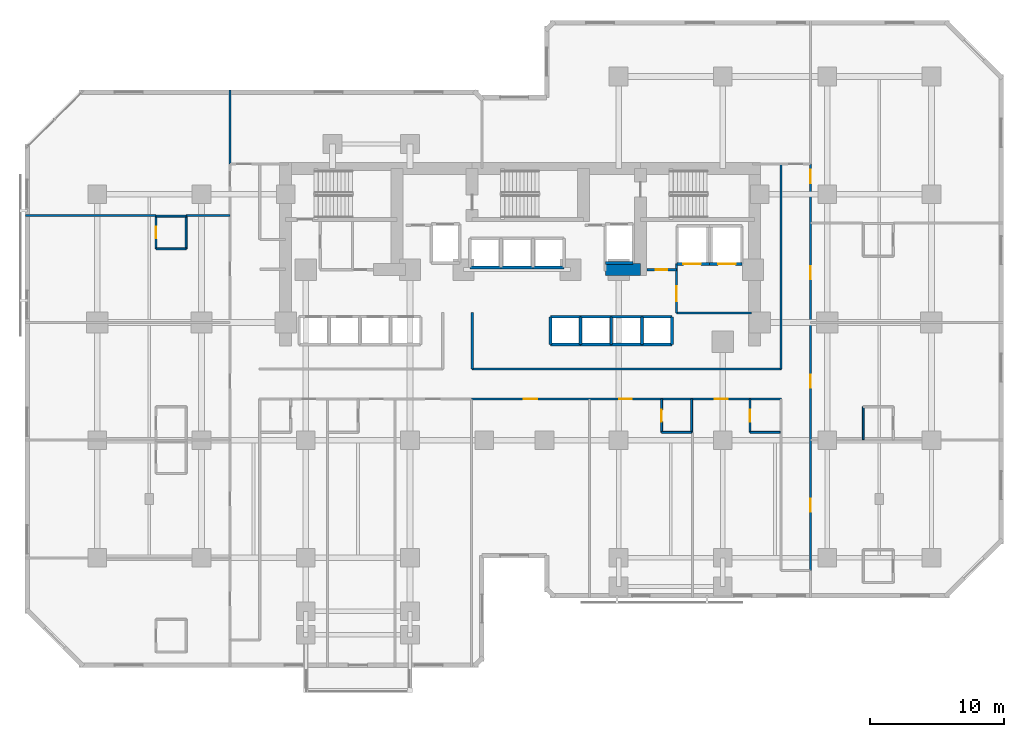
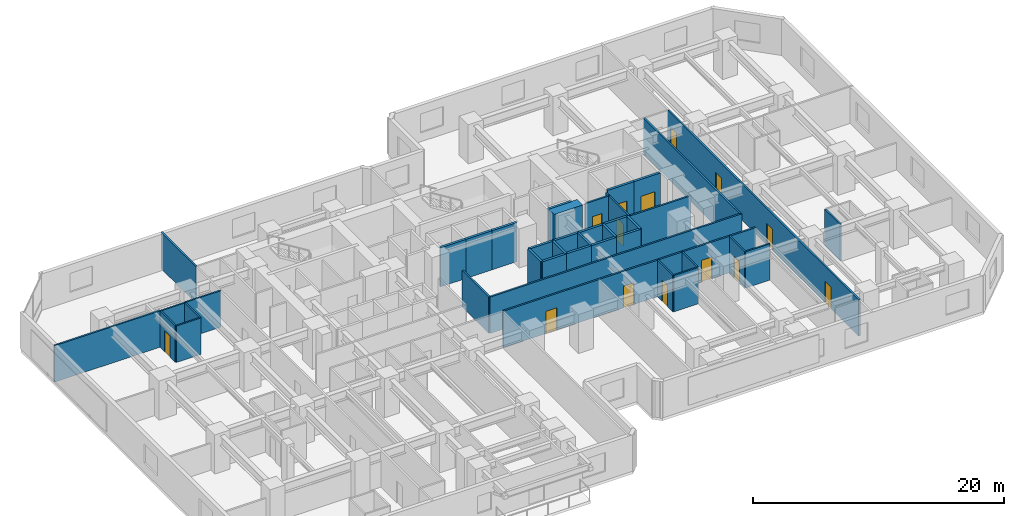
# One storey, part 7 of 12: 41 walls, 14 doors, 14 openings.
"""IFC4 building model written with IfcOpenShell, lengths in metres."""

from ifc_helpers import new_model, si_unit, direction, frame, frame_2d, origin, place, context, subcontext, project, spatial, rectangle, extrude, material, layer, layer_set, type_object, element, fill, save


model = new_model("IFC4")

# Units and contexts
model_context = context("Model", 3, precision=1e-05, world=origin(), true_north=direction((0.0, 1.0)))
body_context = subcontext(model_context, "Body", "Model", "MODEL_VIEW")
ifc_project = project(units=[si_unit("LENGTHUNIT", "METRE"), si_unit("AREAUNIT", "SQUARE_METRE"), si_unit("VOLUMEUNIT", "CUBIC_METRE"), si_unit("PLANEANGLEUNIT", "RADIAN"), si_unit("MASSUNIT", "GRAM", prefix="KILO")], contexts=[model_context])

# Site, building, storey
site_placement = place(None, origin())
site = spatial("IfcSite", under=ifc_project, at=site_placement, CompositionType="ELEMENT")
building_placement = place(site_placement, origin())
building = spatial("IfcBuilding", under=site, at=building_placement, Name="Kestravale Grand Hotel", CompositionType="ELEMENT")
storey_placement = place(building_placement, frame((0.0, 0.0, 48.800048828125)))
storey = spatial("IfcBuildingStorey", under=building, at=storey_placement, Name="L11", CompositionType="ELEMENT", Elevation=48.800048828125)

# Wall
ifc_material_1 = material(Name="Concrete f'c 70 MPa", Category="concrete")
ifc_layer_1 = layer(ifc_material_1, 0.89990234375)
ifc_layer_set_1 = layer_set([ifc_layer_1], Name="EW-CORE-900")
wall_type_1 = type_object("IfcWallType", Name="EW-CORE-900", PredefinedType="SHEAR", material=ifc_layer_set_1)
wall_1_placement = place(storey_placement, frame((45.81005859375, 32.75, 0.0), z_axis=(0.0, 0.0, 1.0), x_axis=(1.0, 0.0, 0.0)))
element("IfcWall", 1, at=wall_1_placement, inside=storey, type_object=wall_type_1, Name="L11 core shear wall S2", PredefinedType="SHEAR", context=body_context, shape_type="SweptSolid", body=[
    extrude(rectangle(XDim=2.639892578125, YDim=0.89990234375, at=frame_2d((1.31982421875, 0.0))), origin(), (0.0, 0.0, 1.0), 3.800048828125),
])

# Wall, opening, door
ifc_material_2 = material(Name="Acoustic fire-rated gypsum board partition", Category="other")
ifc_layer_2 = layer(ifc_material_2, 0.159912109375)
ifc_layer_set_2 = layer_set([ifc_layer_2], Name="IW-CORR-160")
wall_type_2 = type_object("IfcWallType", Name="IW-CORR-160", PredefinedType="PARTITIONING", material=ifc_layer_set_2)
wall_2_placement = place(storey_placement, frame((51.1201171875, 29.5, 0.0), z_axis=(0.0, 0.0, 1.0), x_axis=(0.0, 1.0, 0.0)))
wall_2 = element("IfcWall", 2, at=wall_2_placement, inside=storey, type_object=wall_type_2, Name="W-L11-SVCLOB-W", PredefinedType="PARTITIONING", context=body_context, shape_type="SweptSolid", body=[
    extrude(rectangle(XDim=3.699951171875, YDim=0.159912109375, at=frame_2d((1.85009765625, 0.0))), origin(), (0.0, 0.0, 1.0), 3.5400390625),
])
opening_1_placement = place(wall_2_placement, frame((0.89990234375, 0.0, 0.0)))
opening_1 = element("IfcOpeningElement", 3, at=opening_1_placement, cuts=wall_2, Name="Opening D-CORR-1100", PredefinedType="OPENING", context=body_context, shape_type="SweptSolid", body=[
    extrude(rectangle(XDim=1.10009765625, YDim=2.14990234375, at=frame_2d((0.550048828125, 1.074951171875))), frame((0.0, 0.08984375, 0.0), z_axis=(0.0, -1.0, 0.0), x_axis=(1.0, 0.0, 0.0)), (0.0, 0.0, 1.0), 0.179931640625),
])
ifc_material_3 = material(Name="Single-leaf service vestibule fire door", Category="steel")
door_type_1 = type_object("IfcDoorType", Name="D-CORR-1100", OperationType="NOTDEFINED", PredefinedType="DOOR", material=ifc_material_3)
door_1_placement = place(opening_1_placement, origin())
door_1 = element("IfcDoor", 4, at=door_1_placement, inside=storey, type_object=door_type_1, Name="L11 service lift lobby door", OperationType="SINGLE_SWING_LEFT", OverallHeight=2.14990234375, OverallWidth=1.10009765625, PredefinedType="DOOR", context=body_context, shape_type="SweptSolid", body=[
    extrude(rectangle(XDim=1.10009765625, YDim=2.14990234375, at=frame_2d((0.550048828125, 1.074951171875))), frame((0.0, 0.02490234375, 0.0), z_axis=(0.0, -1.0, 0.0), x_axis=(1.0, 0.0, 0.0)), (0.0, 0.0, 1.0), 0.050048828125),
])
fill(opening_1, door_1)

# Wall
wall_3_placement = place(storey_placement, frame((51.1201171875, 29.5, 0.0), z_axis=(0.0, 0.0, 1.0), x_axis=(1.0, 0.0, 0.0)))
element("IfcWall", 5, at=wall_3_placement, inside=storey, type_object=wall_type_2, Name="L11 service lift lobby wall", PredefinedType="PARTITIONING", context=body_context, shape_type="SweptSolid", body=[
    extrude(rectangle(XDim=5.6298828125, YDim=0.159912109375, at=frame_2d((2.81494140625, 0.0))), origin(), (0.0, 0.0, 1.0), 3.5400390625),
])

# Wall, opening, door
wall_4_placement = place(storey_placement, frame((48.919921875, 32.75, 0.0), z_axis=(0.0, 0.0, 1.0), x_axis=(1.0, 0.0, 0.0)))
wall_4 = element("IfcWall", 6, at=wall_4_placement, inside=storey, type_object=wall_type_2, Name="W-L11-CES", PredefinedType="PARTITIONING", context=body_context, shape_type="SweptSolid", body=[
    extrude(rectangle(XDim=2.2001953125, YDim=0.159912109375, at=frame_2d((1.10009765625, 0.0))), origin(), (0.0, 0.0, 1.0), 3.5400390625),
])
opening_2_placement = place(wall_4_placement, frame((0.64990234375, 0.0, 0.0)))
opening_2 = element("IfcOpeningElement", 7, at=opening_2_placement, cuts=wall_4, Name="Opening D-SH-860", PredefinedType="OPENING", context=body_context, shape_type="SweptSolid", body=[
    extrude(rectangle(XDim=0.860107421875, YDim=2.050048828125, at=frame_2d((0.43017578125, 1.02490234375))), frame((0.0, 0.08984375, 0.0), z_axis=(0.0, -1.0, 0.0), x_axis=(1.0, 0.0, 0.0)), (0.0, 0.0, 1.0), 0.179931640625),
])
ifc_material_4 = material(Name="Galvanised 90-minute riser fire door", Category="steel")
door_type_2 = type_object("IfcDoorType", Name="D-SH-860", OperationType="NOTDEFINED", PredefinedType="DOOR", material=ifc_material_4)
door_2_placement = place(opening_2_placement, origin())
door_2 = element("IfcDoor", 8, at=door_2_placement, inside=storey, type_object=door_type_2, Name="L11 CSTO1 door", OperationType="SINGLE_SWING_RIGHT", OverallHeight=2.050048828125, OverallWidth=0.860107421875, PredefinedType="DOOR", context=body_context, shape_type="SweptSolid", body=[
    extrude(rectangle(XDim=0.860107421875, YDim=2.050048828125, at=frame_2d((0.43017578125, 1.02490234375))), frame((0.0, 0.02490234375, 0.0), z_axis=(0.0, -1.0, 0.0), x_axis=(1.0, 0.0, 0.0)), (0.0, 0.0, 1.0), 0.050048828125),
])
fill(opening_2, door_2)

# Walls
wall_5_placement = place(storey_placement, frame((35.85009765625, 25.31005859375, 0.0), z_axis=(0.0, 0.0, 1.0), x_axis=(1.0, 0.0, 0.0)))
element("IfcWall", 9, at=wall_5_placement, inside=storey, type_object=wall_type_2, Name="W-L11-CE-N", PredefinedType="PARTITIONING", context=body_context, shape_type="SweptSolid", body=[
    extrude(rectangle(XDim=23.14990234375, YDim=0.159912109375, at=frame_2d((11.574951171875, 0.0))), origin(), (0.0, 0.0, 1.0), 3.5400390625),
])
wall_6_placement = place(storey_placement, frame((35.85009765625, 25.31005859375, 0.0), z_axis=(0.0, 0.0, 1.0), x_axis=(0.0, 1.0, 0.0)))
element("IfcWall", 10, at=wall_6_placement, inside=storey, type_object=wall_type_2, Name="W-L11-TRUNK-E", PredefinedType="PARTITIONING", context=body_context, shape_type="SweptSolid", body=[
    extrude(rectangle(XDim=4.239990234375, YDim=0.159912109375, at=frame_2d((2.1201171875, 0.0))), origin(), (0.0, 0.0, 1.0), 3.5400390625),
])

# Wall, openings, doors
wall_7_placement = place(storey_placement, frame((35.800048828125, 23.090087890625, 0.0), z_axis=(0.0, 0.0, 1.0), x_axis=(1.0, 0.0, 0.0)))
wall_7 = element("IfcWall", 11, at=wall_7_placement, inside=storey, type_object=wall_type_2, Name="W-L11-CE-S", PredefinedType="PARTITIONING", context=body_context, shape_type="SweptSolid", body=[
    extrude(rectangle(XDim=23.199951171875, YDim=0.159912109375, at=frame_2d((11.60009765625, 0.0))), origin(), (0.0, 0.0, 1.0), 3.5400390625),
])
opening_3_placement = place(wall_7_placement, frame((3.90673828125, 0.0, 0.0)))
opening_3 = element("IfcOpeningElement", 12, at=opening_3_placement, cuts=wall_7, Name="Opening D-GUEST-1000", PredefinedType="OPENING", context=body_context, shape_type="SweptSolid", body=[
    extrude(rectangle(XDim=1.0, YDim=2.14990234375, at=frame_2d((0.5, 1.074951171875))), frame((0.0, 0.08984375, 0.0), z_axis=(0.0, -1.0, 0.0), x_axis=(1.0, 0.0, 0.0)), (0.0, 0.0, 1.0), 0.179931640625),
])
opening_4_placement = place(wall_7_placement, frame((11.0400390625, 0.0, 0.0)))
opening_4 = element("IfcOpeningElement", 13, at=opening_4_placement, cuts=wall_7, Name="Opening D-GUEST-950", PredefinedType="OPENING", context=body_context, shape_type="SweptSolid", body=[
    extrude(rectangle(XDim=0.949951171875, YDim=2.10009765625, at=frame_2d((0.47509765625, 1.050048828125))), frame((0.0, 0.08984375, 0.0), z_axis=(0.0, -1.0, 0.0), x_axis=(1.0, 0.0, 0.0)), (0.0, 0.0, 1.0), 0.179931640625),
])
opening_5_placement = place(wall_7_placement, frame((18.203369140625, 0.0, 0.0)))
opening_5 = element("IfcOpeningElement", 14, at=opening_5_placement, cuts=wall_7, Name="Opening D-GUEST-950", PredefinedType="OPENING", context=body_context, shape_type="SweptSolid", body=[
    extrude(rectangle(XDim=0.949951171875, YDim=2.10009765625, at=frame_2d((0.47509765625, 1.050048828125))), frame((0.0, 0.08984375, 0.0), z_axis=(0.0, -1.0, 0.0), x_axis=(1.0, 0.0, 0.0)), (0.0, 0.0, 1.0), 0.179931640625),
])
ifc_material_5 = material(Name="Accessible walnut veneer hotel entrance fire door", Category="wood")
door_type_3 = type_object("IfcDoorType", Name="D-GUEST-1000", OperationType="NOTDEFINED", PredefinedType="DOOR", material=ifc_material_5)
door_3_placement = place(opening_3_placement, origin())
door_3 = element("IfcDoor", 15, at=door_3_placement, inside=storey, type_object=door_type_3, Name="D-L11-AME", OperationType="SINGLE_SWING_RIGHT", OverallHeight=2.14990234375, OverallWidth=1.0, PredefinedType="DOOR", context=body_context, shape_type="SweptSolid", body=[
    extrude(rectangle(XDim=1.0, YDim=2.14990234375, at=frame_2d((0.5, 1.074951171875))), frame((0.0, 0.02490234375, 0.0), z_axis=(0.0, -1.0, 0.0), x_axis=(1.0, 0.0, 0.0)), (0.0, 0.0, 1.0), 0.050048828125),
])
fill(opening_3, door_3)
ifc_material_6 = material(Name="Walnut veneer hotel guestroom entrance fire door", Category="wood")
door_type_4 = type_object("IfcDoorType", Name="D-GUEST-950", OperationType="NOTDEFINED", PredefinedType="DOOR", material=ifc_material_6)
door_4_placement = place(opening_4_placement, origin())
door_4 = element("IfcDoor", 16, at=door_4_placement, inside=storey, type_object=door_type_4, Name="D-L11-U03-ENT", OperationType="SINGLE_SWING_RIGHT", OverallHeight=2.10009765625, OverallWidth=0.949951171875, PredefinedType="DOOR", context=body_context, shape_type="SweptSolid", body=[
    extrude(rectangle(XDim=0.949951171875, YDim=2.10009765625, at=frame_2d((0.47509765625, 1.050048828125))), frame((0.0, 0.02490234375, 0.0), z_axis=(0.0, -1.0, 0.0), x_axis=(1.0, 0.0, 0.0)), (0.0, 0.0, 1.0), 0.050048828125),
])
fill(opening_4, door_4)
door_5_placement = place(opening_5_placement, origin())
door_5 = element("IfcDoor", 17, at=door_5_placement, inside=storey, type_object=door_type_4, Name="D-L11-U04-ENT", OperationType="SINGLE_SWING_RIGHT", OverallHeight=2.10009765625, OverallWidth=0.949951171875, PredefinedType="DOOR", context=body_context, shape_type="SweptSolid", body=[
    extrude(rectangle(XDim=0.949951171875, YDim=2.10009765625, at=frame_2d((0.47509765625, 1.050048828125))), frame((0.0, 0.02490234375, 0.0), z_axis=(0.0, -1.0, 0.0), x_axis=(1.0, 0.0, 0.0)), (0.0, 0.0, 1.0), 0.050048828125),
])
fill(opening_5, door_5)

wall_8_placement = place(storey_placement, frame((61.159912109375, 10.25, 0.0), z_axis=(0.0, 0.0, 1.0), x_axis=(0.0, 1.0, 0.0)))
wall_8 = element("IfcWall", 18, at=wall_8_placement, inside=storey, type_object=wall_type_2, Name="W-L11-SE-E", PredefinedType="PARTITIONING", context=body_context, shape_type="SweptSolid", body=[
    extrude(rectangle(XDim=30.39990234375, YDim=0.159912109375, at=frame_2d((15.199951171875, 0.0))), origin(), (0.0, 0.0, 1.0), 3.5400390625),
])
opening_6_placement = place(wall_8_placement, frame((4.39990234375, 0.0, 0.0)))
opening_6 = element("IfcOpeningElement", 19, at=opening_6_placement, cuts=wall_8, Name="Opening D-GUEST-950", PredefinedType="OPENING", context=body_context, shape_type="SweptSolid", body=[
    extrude(rectangle(XDim=0.949951171875, YDim=2.10009765625, at=frame_2d((0.47509765625, 1.050048828125))), frame((0.0, 0.08984375, 0.0), z_axis=(0.0, -1.0, 0.0), x_axis=(1.0, 0.0, 0.0)), (0.0, 0.0, 1.0), 0.179931640625),
])
opening_7_placement = place(wall_8_placement, frame((13.675048828125, 0.0, 0.0)))
opening_7 = element("IfcOpeningElement", 20, at=opening_7_placement, cuts=wall_8, Name="Opening D-GUEST-950", PredefinedType="OPENING", context=body_context, shape_type="SweptSolid", body=[
    extrude(rectangle(XDim=0.949951171875, YDim=2.10009765625, at=frame_2d((0.47509765625, 1.050048828125))), frame((0.0, 0.08984375, 0.0), z_axis=(0.0, -1.0, 0.0), x_axis=(1.0, 0.0, 0.0)), (0.0, 0.0, 1.0), 0.179931640625),
])
opening_8_placement = place(wall_8_placement, frame((21.800048828125, 0.0, 0.0)))
opening_8 = element("IfcOpeningElement", 21, at=opening_8_placement, cuts=wall_8, Name="Opening D-GUEST-950", PredefinedType="OPENING", context=body_context, shape_type="SweptSolid", body=[
    extrude(rectangle(XDim=0.949951171875, YDim=2.10009765625, at=frame_2d((0.47509765625, 1.050048828125))), frame((0.0, 0.08984375, 0.0), z_axis=(0.0, -1.0, 0.0), x_axis=(1.0, 0.0, 0.0)), (0.0, 0.0, 1.0), 0.179931640625),
])
opening_9_placement = place(wall_8_placement, frame((28.9599609375, 0.0, 0.0)))
opening_9 = element("IfcOpeningElement", 22, at=opening_9_placement, cuts=wall_8, Name="Opening D-GUEST-1000", PredefinedType="OPENING", context=body_context, shape_type="SweptSolid", body=[
    extrude(rectangle(XDim=1.0, YDim=2.14990234375, at=frame_2d((0.5, 1.074951171875))), frame((0.0, 0.08984375, 0.0), z_axis=(0.0, -1.0, 0.0), x_axis=(1.0, 0.0, 0.0)), (0.0, 0.0, 1.0), 0.179931640625),
])
door_6_placement = place(opening_9_placement, origin())
door_6 = element("IfcDoor", 23, at=door_6_placement, inside=storey, type_object=door_type_3, Name="D-L11-AMEW", OperationType="SINGLE_SWING_RIGHT", OverallHeight=2.14990234375, OverallWidth=1.0, PredefinedType="DOOR", context=body_context, shape_type="SweptSolid", body=[
    extrude(rectangle(XDim=1.0, YDim=2.14990234375, at=frame_2d((0.5, 1.074951171875))), frame((0.0, 0.02490234375, 0.0), z_axis=(0.0, -1.0, 0.0), x_axis=(1.0, 0.0, 0.0)), (0.0, 0.0, 1.0), 0.050048828125),
])
fill(opening_9, door_6)
door_7_placement = place(opening_6_placement, origin())
door_7 = element("IfcDoor", 24, at=door_7_placement, inside=storey, type_object=door_type_4, Name="D-L11-U09-ENT", OperationType="SINGLE_SWING_LEFT", OverallHeight=2.10009765625, OverallWidth=0.949951171875, PredefinedType="DOOR", context=body_context, shape_type="SweptSolid", body=[
    extrude(rectangle(XDim=0.949951171875, YDim=2.10009765625, at=frame_2d((0.47509765625, 1.050048828125))), frame((0.0, 0.02490234375, 0.0), z_axis=(0.0, -1.0, 0.0), x_axis=(1.0, 0.0, 0.0)), (0.0, 0.0, 1.0), 0.050048828125),
])
fill(opening_6, door_7)
door_8_placement = place(opening_7_placement, origin())
door_8 = element("IfcDoor", 25, at=door_8_placement, inside=storey, type_object=door_type_4, Name="D-L11-U10-ENT", OperationType="SINGLE_SWING_LEFT", OverallHeight=2.10009765625, OverallWidth=0.949951171875, PredefinedType="DOOR", context=body_context, shape_type="SweptSolid", body=[
    extrude(rectangle(XDim=0.949951171875, YDim=2.10009765625, at=frame_2d((0.47509765625, 1.050048828125))), frame((0.0, 0.02490234375, 0.0), z_axis=(0.0, -1.0, 0.0), x_axis=(1.0, 0.0, 0.0)), (0.0, 0.0, 1.0), 0.050048828125),
])
fill(opening_7, door_8)
door_9_placement = place(opening_8_placement, origin())
door_9 = element("IfcDoor", 26, at=door_9_placement, inside=storey, type_object=door_type_4, Name="D-L11-U11-ENT", OperationType="SINGLE_SWING_LEFT", OverallHeight=2.10009765625, OverallWidth=0.949951171875, PredefinedType="DOOR", context=body_context, shape_type="SweptSolid", body=[
    extrude(rectangle(XDim=0.949951171875, YDim=2.10009765625, at=frame_2d((0.47509765625, 1.050048828125))), frame((0.0, 0.02490234375, 0.0), z_axis=(0.0, -1.0, 0.0), x_axis=(1.0, 0.0, 0.0)), (0.0, 0.0, 1.0), 0.050048828125),
])
fill(opening_8, door_9)

# Wall
wall_9_placement = place(storey_placement, frame((58.93994140625, 25.31005859375, 0.0), z_axis=(0.0, 0.0, 1.0), x_axis=(0.0, 1.0, 0.0)))
element("IfcWall", 27, at=wall_9_placement, inside=storey, type_object=wall_type_2, Name="W-L11-SE-WU", PredefinedType="PARTITIONING", context=body_context, shape_type="SweptSolid", body=[
    extrude(rectangle(XDim=15.33984375, YDim=0.159912109375, at=frame_2d((7.669921875, 0.0))), origin(), (0.0, 0.0, 1.0), 3.5400390625),
])

# Wall, opening, door
ifc_material_7 = material(Name="Moisture-resistant tile-backer plumbing chase wall", Category="other")
ifc_layer_3 = layer(ifc_material_7, 0.139892578125)
ifc_layer_set_3 = layer_set([ifc_layer_3], Name="IW-PLB-140")
wall_type_3 = type_object("IfcWallType", Name="IW-PLB-140", PredefinedType="PLUMBINGWALL", material=ifc_layer_set_3)
wall_10_placement = place(storey_placement, frame((50.0166015625, 20.580078125, 0.0), z_axis=(0.0, 0.0, 1.0), x_axis=(0.0, 1.0, 0.0)))
wall_10 = element("IfcWall", 28, at=wall_10_placement, inside=storey, type_object=wall_type_3, Name="W-L11-U03-BW", PredefinedType="PLUMBINGWALL", context=body_context, shape_type="SweptSolid", body=[
    extrude(rectangle(XDim=2.489990234375, YDim=0.139892578125, at=frame_2d((1.2451171875, 0.0))), origin(), (0.0, 0.0, 1.0), 3.5400390625),
])
opening_10_placement = place(wall_10_placement, frame((0.804931640625, 0.0, 0.0)))
opening_10 = element("IfcOpeningElement", 29, at=opening_10_placement, cuts=wall_10, Name="Opening D-BATH-880", PredefinedType="OPENING", context=body_context, shape_type="SweptSolid", body=[
    extrude(rectangle(XDim=0.8798828125, YDim=2.050048828125, at=frame_2d((0.43994140625, 1.02490234375))), frame((0.0, 0.079833984375, 0.0), z_axis=(0.0, -1.0, 0.0), x_axis=(1.0, 0.0, 0.0)), (0.0, 0.0, 1.0), 0.159912109375),
])
ifc_material_8 = material(Name="Moisture-sealed walnut en-suite bathroom door", Category="wood")
door_type_5 = type_object("IfcDoorType", Name="D-BATH-880", OperationType="NOTDEFINED", PredefinedType="DOOR", material=ifc_material_8)
door_10_placement = place(opening_10_placement, origin())
door_10 = element("IfcDoor", 30, at=door_10_placement, inside=storey, type_object=door_type_5, Name="D-L11-U03-BATH", OperationType="SINGLE_SWING_LEFT", OverallHeight=2.050048828125, OverallWidth=0.8798828125, PredefinedType="DOOR", context=body_context, shape_type="SweptSolid", body=[
    extrude(rectangle(XDim=0.8798828125, YDim=2.050048828125, at=frame_2d((0.43994140625, 1.02490234375))), frame((0.0, 0.02490234375, 0.0), z_axis=(0.0, -1.0, 0.0), x_axis=(1.0, 0.0, 0.0)), (0.0, 0.0, 1.0), 0.050048828125),
])
fill(opening_10, door_10)

# Walls
wall_11_placement = place(storey_placement, frame((52.2666015625, 20.580078125, 0.0), z_axis=(0.0, 0.0, 1.0), x_axis=(0.0, 1.0, 0.0)))
element("IfcWall", 31, at=wall_11_placement, inside=storey, type_object=wall_type_3, Name="W-L11-U03-BE", PredefinedType="PLUMBINGWALL", context=body_context, shape_type="SweptSolid", body=[
    extrude(rectangle(XDim=2.489990234375, YDim=0.139892578125, at=frame_2d((1.2451171875, 0.0))), origin(), (0.0, 0.0, 1.0), 3.5400390625),
])
wall_12_placement = place(storey_placement, frame((50.0166015625, 20.580078125, 0.0), z_axis=(0.0, 0.0, 1.0), x_axis=(1.0, 0.0, 0.0)))
element("IfcWall", 32, at=wall_12_placement, inside=storey, type_object=wall_type_3, Name="W-L11-U03-BS", PredefinedType="PLUMBINGWALL", context=body_context, shape_type="SweptSolid", body=[
    extrude(rectangle(XDim=2.25, YDim=0.139892578125, at=frame_2d((1.125, 0.0))), origin(), (0.0, 0.0, 1.0), 3.5400390625),
])

# Wall, opening, door
wall_13_placement = place(storey_placement, frame((56.6298828125, 20.580078125, 0.0), z_axis=(0.0, 0.0, 1.0), x_axis=(0.0, 1.0, 0.0)))
wall_13 = element("IfcWall", 33, at=wall_13_placement, inside=storey, type_object=wall_type_3, Name="W-L11-U04-BW", PredefinedType="PLUMBINGWALL", context=body_context, shape_type="SweptSolid", body=[
    extrude(rectangle(XDim=2.489990234375, YDim=0.139892578125, at=frame_2d((1.2451171875, 0.0))), origin(), (0.0, 0.0, 1.0), 3.5400390625),
])
opening_11_placement = place(wall_13_placement, frame((0.804931640625, 0.0, 0.0)))
opening_11 = element("IfcOpeningElement", 34, at=opening_11_placement, cuts=wall_13, Name="Opening D-BATH-880", PredefinedType="OPENING", context=body_context, shape_type="SweptSolid", body=[
    extrude(rectangle(XDim=0.8798828125, YDim=2.050048828125, at=frame_2d((0.43994140625, 1.02490234375))), frame((0.0, 0.079833984375, 0.0), z_axis=(0.0, -1.0, 0.0), x_axis=(1.0, 0.0, 0.0)), (0.0, 0.0, 1.0), 0.159912109375),
])
door_11_placement = place(opening_11_placement, origin())
door_11 = element("IfcDoor", 35, at=door_11_placement, inside=storey, type_object=door_type_5, Name="D-L11-U04-BATH", OperationType="SINGLE_SWING_LEFT", OverallHeight=2.050048828125, OverallWidth=0.8798828125, PredefinedType="DOOR", context=body_context, shape_type="SweptSolid", body=[
    extrude(rectangle(XDim=0.8798828125, YDim=2.050048828125, at=frame_2d((0.43994140625, 1.02490234375))), frame((0.0, 0.02490234375, 0.0), z_axis=(0.0, -1.0, 0.0), x_axis=(1.0, 0.0, 0.0)), (0.0, 0.0, 1.0), 0.050048828125),
])
fill(opening_11, door_11)

# Wall
wall_14_placement = place(storey_placement, frame((56.6298828125, 20.580078125, 0.0), z_axis=(0.0, 0.0, 1.0), x_axis=(1.0, 0.0, 0.0)))
element("IfcWall", 36, at=wall_14_placement, inside=storey, type_object=wall_type_3, Name="W-L11-U04-BS", PredefinedType="PLUMBINGWALL", context=body_context, shape_type="SweptSolid", body=[
    extrude(rectangle(XDim=2.25, YDim=0.139892578125, at=frame_2d((1.125, 0.0))), origin(), (0.0, 0.0, 1.0), 3.5400390625),
])

# Wall, opening, door
wall_15_placement = place(storey_placement, frame((12.199951171875, 34.31005859375, 0.0), z_axis=(0.0, 0.0, 1.0), x_axis=(0.0, 1.0, 0.0)))
wall_15 = element("IfcWall", 37, at=wall_15_placement, inside=storey, type_object=wall_type_3, Name="W-L11-U08-BW", PredefinedType="PLUMBINGWALL", context=body_context, shape_type="SweptSolid", body=[
    extrude(rectangle(XDim=2.449951171875, YDim=0.139892578125, at=frame_2d((1.22509765625, 0.0))), origin(), (0.0, 0.0, 1.0), 3.5400390625),
])
opening_12_placement = place(wall_15_placement, frame((0.784912109375, 0.0, 0.0)))
opening_12 = element("IfcOpeningElement", 38, at=opening_12_placement, cuts=wall_15, Name="Opening D-BATH-880", PredefinedType="OPENING", context=body_context, shape_type="SweptSolid", body=[
    extrude(rectangle(XDim=0.8798828125, YDim=2.050048828125, at=frame_2d((0.43994140625, 1.02490234375))), frame((0.0, 0.079833984375, 0.0), z_axis=(0.0, -1.0, 0.0), x_axis=(1.0, 0.0, 0.0)), (0.0, 0.0, 1.0), 0.159912109375),
])
door_12_placement = place(opening_12_placement, origin())
door_12 = element("IfcDoor", 39, at=door_12_placement, inside=storey, type_object=door_type_5, Name="D-L11-U08-BATH", OperationType="SINGLE_SWING_LEFT", OverallHeight=2.050048828125, OverallWidth=0.8798828125, PredefinedType="DOOR", context=body_context, shape_type="SweptSolid", body=[
    extrude(rectangle(XDim=0.8798828125, YDim=2.050048828125, at=frame_2d((0.43994140625, 1.02490234375))), frame((0.0, 0.02490234375, 0.0), z_axis=(0.0, -1.0, 0.0), x_axis=(1.0, 0.0, 0.0)), (0.0, 0.0, 1.0), 0.050048828125),
])
fill(opening_12, door_12)

# Walls
wall_16_placement = place(storey_placement, frame((14.449951171875, 34.31005859375, 0.0), z_axis=(0.0, 0.0, 1.0), x_axis=(0.0, 1.0, 0.0)))
element("IfcWall", 40, at=wall_16_placement, inside=storey, type_object=wall_type_3, Name="W-L11-U08-BE", PredefinedType="PLUMBINGWALL", context=body_context, shape_type="SweptSolid", body=[
    extrude(rectangle(XDim=2.449951171875, YDim=0.139892578125, at=frame_2d((1.22509765625, 0.0))), origin(), (0.0, 0.0, 1.0), 3.5400390625),
])
for number, where, z_axis, x_axis, name in (
    (41, (12.199951171875, 34.31005859375, 0.0), (0.0, 0.0, 1.0), (1.0, 0.0, 0.0), "W-L11-U08-BS"),
    (42, (12.199951171875, 36.760009765625, 0.0), (0.0, 0.0, 1.0), (1.0, 0.0, 0.0), "W-L11-U08-BN"),
):
    element("IfcWall", number, at=place(storey_placement, frame(where, z_axis=z_axis, x_axis=x_axis)), inside=storey, type_object=wall_type_3, Name=name, PredefinedType="PLUMBINGWALL", context=body_context, shape_type="SweptSolid", body=[
        extrude(rectangle(XDim=2.25, YDim=0.139892578125, at=frame_2d((1.125, 0.0))), origin(), (0.0, 0.0, 1.0), 3.5400390625),
    ])
wall_17_placement = place(storey_placement, frame((65.10009765625, 20.0400390625, 0.0), z_axis=(0.0, 0.0, 1.0), x_axis=(0.0, 1.0, 0.0)))
element("IfcWall", 43, at=wall_17_placement, inside=storey, type_object=wall_type_3, Name="W-L11-U10-BW", PredefinedType="PLUMBINGWALL", context=body_context, shape_type="SweptSolid", body=[
    extrude(rectangle(XDim=2.449951171875, YDim=0.139892578125, at=frame_2d((1.22509765625, 0.0))), origin(), (0.0, 0.0, 1.0), 3.5400390625),
])
ifc_material_9 = material(Name="Concrete f'c 45 MPa", Category="concrete")
ifc_layer_4 = layer(ifc_material_9, 0.199951171875)
ifc_layer_set_4 = layer_set([ifc_layer_4], Name="IW-SHAFT-200")
wall_type_4 = type_object("IfcWallType", Name="IW-SHAFT-200", PredefinedType="SHEAR", material=ifc_layer_set_4)
for number, where, z_axis, x_axis, name in (
    (44, (41.705078125, 27.169921875, 0.0), (0.0, 0.0, 1.0), (0.0, 1.0, 0.0), "L11 PL-M1 west shaft wall"),
    (45, (43.949951171875, 27.169921875, 0.0), (0.0, 0.0, 1.0), (0.0, 1.0, 0.0), "L11 PL-M2 west shaft wall"),
    (46, (46.25, 27.169921875, 0.0), (0.0, 0.0, 1.0), (0.0, 1.0, 0.0), "L11 PL-M3 west shaft wall"),
    (47, (48.550048828125, 27.169921875, 0.0), (0.0, 0.0, 1.0), (0.0, 1.0, 0.0), "L11 PL-M4 west shaft wall"),
    (48, (50.794921875, 27.169921875, 0.0), (0.0, 0.0, 1.0), (0.0, 1.0, 0.0), "L11 PL-M4 east shaft wall"),
):
    element("IfcWall", number, at=place(storey_placement, frame(where, z_axis=z_axis, x_axis=x_axis)), inside=storey, type_object=wall_type_4, Name=name, PredefinedType="SHEAR", context=body_context, shape_type="SweptSolid", body=[
        extrude(rectangle(XDim=2.06005859375, YDim=0.199951171875, at=frame_2d((1.030029296875, 0.0))), origin(), (0.0, 0.0, 1.0), 3.800048828125),
    ])
ifc_material_10 = material(Name="Concrete f'c 45 MPa", Category="concrete")
ifc_layer_5 = layer(ifc_material_10, 0.219970703125)
ifc_layer_set_5 = layer_set([ifc_layer_5], Name="IW-SHAFT-220")
wall_type_5 = type_object("IfcWallType", Name="IW-SHAFT-220", PredefinedType="SHEAR", material=ifc_layer_set_5)
for number, where, z_axis, x_axis, name in (
    (49, (41.705078125, 29.22998046875, 0.0), (0.0, 0.0, 1.0), (1.0, 0.0, 0.0), "L11 PL-M1 north shaft wall"),
    (50, (41.705078125, 27.169921875, 0.0), (0.0, 0.0, 1.0), (1.0, 0.0, 0.0), "L11 PL-M1 south shaft wall"),
):
    element("IfcWall", number, at=place(storey_placement, frame(where, z_axis=z_axis, x_axis=x_axis)), inside=storey, type_object=wall_type_5, Name=name, PredefinedType="SHEAR", context=body_context, shape_type="SweptSolid", body=[
        extrude(rectangle(XDim=2.244873046875, YDim=0.219970703125, at=frame_2d((1.12255859375, 0.0))), origin(), (0.0, 0.0, 1.0), 3.800048828125),
    ])
for number, where, z_axis, x_axis, name in (
    (51, (43.949951171875, 29.22998046875, 0.0), (0.0, 0.0, 1.0), (1.0, 0.0, 0.0), "L11 PL-M2 north shaft wall"),
    (52, (43.949951171875, 27.169921875, 0.0), (0.0, 0.0, 1.0), (1.0, 0.0, 0.0), "L11 PL-M2 south shaft wall"),
    (53, (46.25, 29.22998046875, 0.0), (0.0, 0.0, 1.0), (1.0, 0.0, 0.0), "L11 PL-M3 north shaft wall"),
    (54, (46.25, 27.169921875, 0.0), (0.0, 0.0, 1.0), (1.0, 0.0, 0.0), "L11 PL-M3 south shaft wall"),
):
    element("IfcWall", number, at=place(storey_placement, frame(where, z_axis=z_axis, x_axis=x_axis)), inside=storey, type_object=wall_type_5, Name=name, PredefinedType="SHEAR", context=body_context, shape_type="SweptSolid", body=[
        extrude(rectangle(XDim=2.300048828125, YDim=0.219970703125, at=frame_2d((1.14990234375, 0.0))), origin(), (0.0, 0.0, 1.0), 3.800048828125),
    ])
for number, where, z_axis, x_axis, name in (
    (55, (48.550048828125, 29.22998046875, 0.0), (0.0, 0.0, 1.0), (1.0, 0.0, 0.0), "L11 PL-M4 north shaft wall"),
    (56, (48.550048828125, 27.169921875, 0.0), (0.0, 0.0, 1.0), (1.0, 0.0, 0.0), "L11 PL-M4 south shaft wall"),
):
    element("IfcWall", number, at=place(storey_placement, frame(where, z_axis=z_axis, x_axis=x_axis)), inside=storey, type_object=wall_type_5, Name=name, PredefinedType="SHEAR", context=body_context, shape_type="SweptSolid", body=[
        extrude(rectangle(XDim=2.244873046875, YDim=0.219970703125, at=frame_2d((1.12255859375, 0.0))), origin(), (0.0, 0.0, 1.0), 3.800048828125),
    ])
wall_18_placement = place(storey_placement, frame((35.679931640625, 32.919921875, 0.0), z_axis=(0.0, 0.0, 1.0), x_axis=(1.0, 0.0, 0.0)))
element("IfcWall", 57, at=wall_18_placement, inside=storey, type_object=wall_type_5, Name="L11 PL-X1 south shaft wall", PredefinedType="SHEAR", context=body_context, shape_type="SweptSolid", body=[
    extrude(rectangle(XDim=2.320068359375, YDim=0.219970703125, at=frame_2d((1.16015625, 0.0))), origin(), (0.0, 0.0, 1.0), 3.800048828125),
])
wall_19_placement = place(storey_placement, frame((38.0, 32.919921875, 0.0), z_axis=(0.0, 0.0, 1.0), x_axis=(1.0, 0.0, 0.0)))
element("IfcWall", 58, at=wall_19_placement, inside=storey, type_object=wall_type_5, Name="L11 PL-X2 south shaft wall", PredefinedType="SHEAR", context=body_context, shape_type="SweptSolid", body=[
    extrude(rectangle(XDim=2.39990234375, YDim=0.219970703125, at=frame_2d((1.199951171875, 0.0))), origin(), (0.0, 0.0, 1.0), 3.800048828125),
])
wall_20_placement = place(storey_placement, frame((40.39990234375, 32.919921875, 0.0), z_axis=(0.0, 0.0, 1.0), x_axis=(1.0, 0.0, 0.0)))
element("IfcWall", 59, at=wall_20_placement, inside=storey, type_object=wall_type_5, Name="L11 PL-X3 south shaft wall", PredefinedType="SHEAR", context=body_context, shape_type="SweptSolid", body=[
    extrude(rectangle(XDim=2.320068359375, YDim=0.219970703125, at=frame_2d((1.16015625, 0.0))), origin(), (0.0, 0.0, 1.0), 3.800048828125),
])

# Wall, opening, door
wall_21_placement = place(storey_placement, frame((51.179931640625, 33.169921875, 0.0), z_axis=(0.0, 0.0, 1.0), x_axis=(1.0, 0.0, 0.0)))
wall_21 = element("IfcWall", 60, at=wall_21_placement, inside=storey, type_object=wall_type_5, Name="L11 SL-1 south shaft wall", PredefinedType="SHEAR", context=body_context, shape_type="SweptSolid", body=[
    extrude(rectangle(XDim=2.420166015625, YDim=0.219970703125, at=frame_2d((1.2099609375, 0.0))), origin(), (0.0, 0.0, 1.0), 3.800048828125),
])
opening_13_placement = place(wall_21_placement, frame((0.469970703125, 0.0, 0.0)))
opening_13 = element("IfcOpeningElement", 61, at=opening_13_placement, cuts=wall_21, Name="Opening LD-SVC-1300", PredefinedType="OPENING", context=body_context, shape_type="SweptSolid", body=[
    extrude(rectangle(XDim=1.300048828125, YDim=2.14990234375, at=frame_2d((0.64990234375, 1.074951171875))), frame((0.0, 0.119873046875, 0.0), z_axis=(0.0, -1.0, 0.0), x_axis=(1.0, 0.0, 0.0)), (0.0, 0.0, 1.0), 0.239990234375),
])
ifc_material_11 = material(Name="Heavy-duty service sliding elevator landing door", Category="steel")
door_type_6 = type_object("IfcDoorType", Name="LD-SVC-1300", OperationType="NOTDEFINED", PredefinedType="DOOR", material=ifc_material_11)
door_13_placement = place(opening_13_placement, origin())
door_13 = element("IfcDoor", 62, at=door_13_placement, inside=storey, type_object=door_type_6, Name="L11 SL-1 elevator landing sliding door", OperationType="DOUBLE_DOOR_SLIDING", OverallHeight=2.14990234375, OverallWidth=1.300048828125, PredefinedType="DOOR", context=body_context, shape_type="SweptSolid", body=[
    extrude(rectangle(XDim=1.300048828125, YDim=2.14990234375, at=frame_2d((0.64990234375, 1.074951171875))), frame((0.0, 0.02490234375, 0.0), z_axis=(0.0, -1.0, 0.0), x_axis=(1.0, 0.0, 0.0)), (0.0, 0.0, 1.0), 0.050048828125),
])
fill(opening_13, door_13)

wall_22_placement = place(storey_placement, frame((53.60009765625, 33.169921875, 0.0), z_axis=(0.0, 0.0, 1.0), x_axis=(1.0, 0.0, 0.0)))
wall_22 = element("IfcWall", 63, at=wall_22_placement, inside=storey, type_object=wall_type_5, Name="L11 SL-2 south shaft wall", PredefinedType="SHEAR", context=body_context, shape_type="SweptSolid", body=[
    extrude(rectangle(XDim=2.419921875, YDim=0.219970703125, at=frame_2d((1.2099609375, 0.0))), origin(), (0.0, 0.0, 1.0), 3.800048828125),
])
opening_14_placement = place(wall_22_placement, frame((0.64990234375, 0.0, 0.0)))
opening_14 = element("IfcOpeningElement", 64, at=opening_14_placement, cuts=wall_22, Name="Opening LD-SVC-1300", PredefinedType="OPENING", context=body_context, shape_type="SweptSolid", body=[
    extrude(rectangle(XDim=1.300048828125, YDim=2.14990234375, at=frame_2d((0.64990234375, 1.074951171875))), frame((0.0, 0.119873046875, 0.0), z_axis=(0.0, -1.0, 0.0), x_axis=(1.0, 0.0, 0.0)), (0.0, 0.0, 1.0), 0.239990234375),
])
door_14_placement = place(opening_14_placement, origin())
door_14 = element("IfcDoor", 65, at=door_14_placement, inside=storey, type_object=door_type_6, Name="L11 SL-2 elevator landing sliding door", OperationType="DOUBLE_DOOR_SLIDING", OverallHeight=2.14990234375, OverallWidth=1.300048828125, PredefinedType="DOOR", context=body_context, shape_type="SweptSolid", body=[
    extrude(rectangle(XDim=1.300048828125, YDim=2.14990234375, at=frame_2d((0.64990234375, 1.074951171875))), frame((0.0, 0.02490234375, 0.0), z_axis=(0.0, -1.0, 0.0), x_axis=(1.0, 0.0, 0.0)), (0.0, 0.0, 1.0), 0.050048828125),
])
fill(opening_14, door_14)

# Walls
wall_23_placement = place(storey_placement, frame((45.804931640625, 33.2451171875, 0.0), z_axis=(0.0, 0.0, 1.0), x_axis=(1.0, 0.0, 0.0)))
element("IfcWall", 66, at=wall_23_placement, inside=storey, type_object=wall_type_5, Name="L11 FL-2 south shaft wall", PredefinedType="SHEAR", context=body_context, shape_type="SweptSolid", body=[
    extrude(rectangle(XDim=2.090087890625, YDim=0.219970703125, at=frame_2d((1.044921875, 0.0))), origin(), (0.0, 0.0, 1.0), 3.800048828125),
])
ifc_material_12 = material(Name="Double-stud STC 52 acoustic demising partition", Category="other")
ifc_layer_6 = layer(ifc_material_12, 0.14990234375)
ifc_layer_set_6 = layer_set([ifc_layer_6], Name="IW-UNIT-150")
wall_type_6 = type_object("IfcWallType", Name="IW-UNIT-150", PredefinedType="PARTITIONING", material=ifc_layer_set_6)
wall_24_placement = place(storey_placement, frame((17.739990234375, 40.64990234375, 0.0), z_axis=(0.0, 0.0, 1.0), x_axis=(0.0, 1.0, 0.0)))
element("IfcWall", 67, at=wall_24_placement, inside=storey, type_object=wall_type_6, Name="W-L11-NGW-W", PredefinedType="PARTITIONING", context=body_context, shape_type="SweptSolid", body=[
    extrude(rectangle(XDim=5.530029296875, YDim=0.14990234375, at=frame_2d((2.76513671875, 0.0))), origin(), (0.0, 0.0, 1.0), 3.5400390625),
])
wall_25_placement = place(storey_placement, frame((2.419921875, 36.800048828125, 0.0), z_axis=(0.0, 0.0, 1.0), x_axis=(1.0, 0.0, 0.0)))
element("IfcWall", 68, at=wall_25_placement, inside=storey, type_object=wall_type_6, Name="W-L11-WW-4", PredefinedType="PARTITIONING", context=body_context, shape_type="SweptSolid", body=[
    extrude(rectangle(XDim=9.780029296875, YDim=0.14990234375, at=frame_2d((4.89013671875, 0.0))), origin(), (0.0, 0.0, 1.0), 3.5400390625),
])
wall_26_placement = place(storey_placement, frame((14.449951171875, 36.800048828125, 0.0), z_axis=(0.0, 0.0, 1.0), x_axis=(1.0, 0.0, 0.0)))
element("IfcWall", 69, at=wall_26_placement, inside=storey, type_object=wall_type_6, Name="W-L11-WW-4", PredefinedType="PARTITIONING", context=body_context, shape_type="SweptSolid", body=[
    extrude(rectangle(XDim=3.2900390625, YDim=0.14990234375, at=frame_2d((1.64501953125, 0.0))), origin(), (0.0, 0.0, 1.0), 3.5400390625),
])

save(model, "model.ifc")
